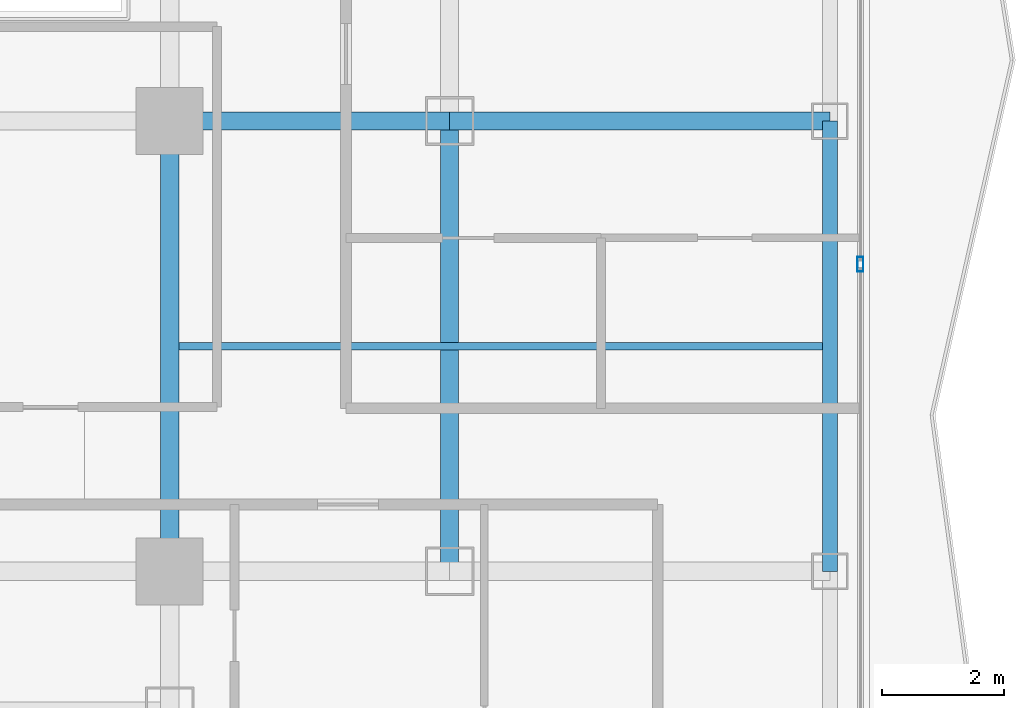
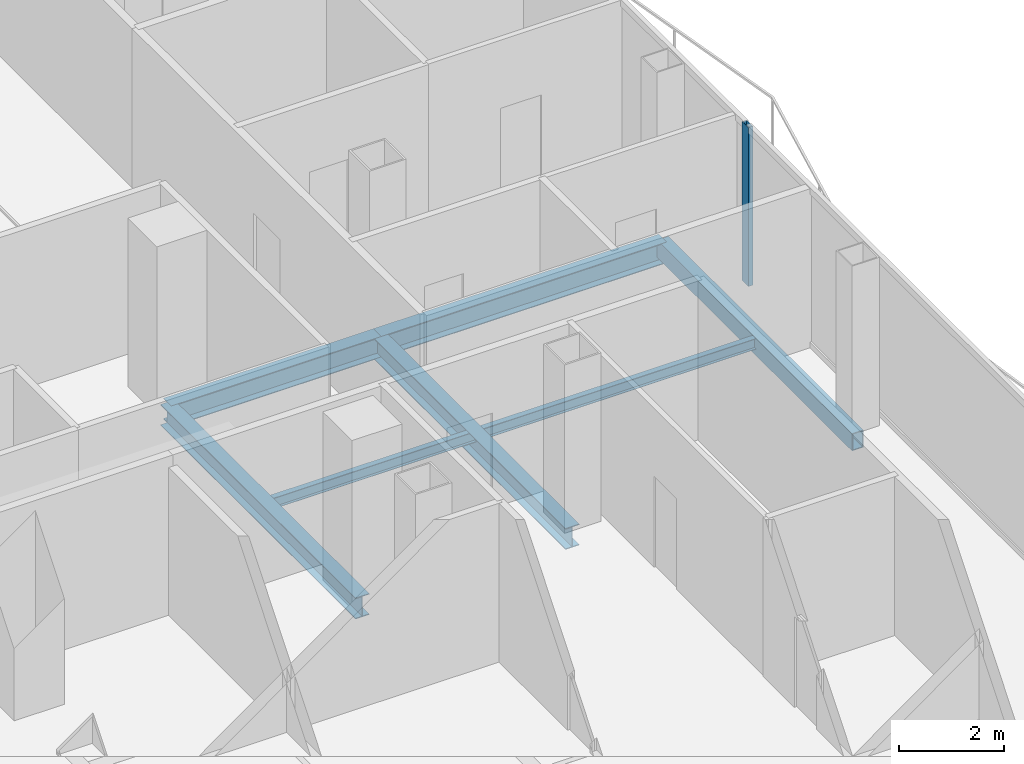
# One storey, part 11 of 27: 6 beams, 1 member, 1 element without a shape of its own.
"""IFC4 building model written with IfcOpenShell, lengths in metres."""

from ifc_helpers import new_model, si_unit, direction, frame, origin, origin_2d, place, context, subcontext, project, spatial, hollow_rectangle, i_section, extrude, material, layer, layer_set, material_profile, profile_set, type_object, element, aggregate, save


model = new_model("IFC4")

# Units and contexts
model_context = context("Model", 3, precision=1e-05, world=origin(), true_north=direction((0.0, 1.0)))
body_context = subcontext(model_context, "Body", "Model", "MODEL_VIEW")
ifc_project = project(units=[si_unit("LENGTHUNIT", "METRE"), si_unit("AREAUNIT", "SQUARE_METRE"), si_unit("VOLUMEUNIT", "CUBIC_METRE"), si_unit("PLANEANGLEUNIT", "RADIAN"), si_unit("MASSUNIT", "GRAM", prefix="KILO")], contexts=[model_context])

# Site, building, storey
site_placement = place(None, origin())
site = spatial("IfcSite", under=ifc_project, at=site_placement, CompositionType="ELEMENT")
building_placement = place(site_placement, origin())
building = spatial("IfcBuilding", under=site, at=building_placement, Name="Khorvyn Point Tower", CompositionType="ELEMENT")
storey_placement = place(building_placement, frame((0.0, 0.0, 227.39990234375)))
storey = spatial("IfcBuildingStorey", under=building, at=storey_placement, Name="L56", CompositionType="ELEMENT", Elevation=227.39990234375)

# Curtain wall, member
ifc_material_1 = material(Name="Anodised aluminium 6063-T6 and laminated Low-E glass", Category="aluminium")
ifc_layer = layer(ifc_material_1, 0.18994140625)
ifc_layer_set = layer_set([ifc_layer], Name="Stick-Built Acoustic Curtain Wall CW-SYS-03")
curtain_wall_type = type_object("IfcCurtainWallType", Name="Stick-Built Acoustic Curtain Wall CW-SYS-03", PredefinedType="NOTDEFINED", material=ifc_layer_set)
curtain_wall_placement = place(storey_placement, origin())
curtain_wall = element("IfcCurtainWall", 1, at=curtain_wall_placement, inside=storey, type_object=curtain_wall_type, Name="Curtain Wall", PredefinedType="NOTDEFINED")
ifc_material_2 = material(Name="Anodised aluminium 6063-T6", Category="aluminium")
ifc_material_profile_1 = material_profile(ifc_material_2, hollow_rectangle(XDim=0.10009765625, YDim=0.239990234375, WallThickness=0.0048828125, at=origin_2d()))
ifc_profile_set_1 = profile_set([ifc_material_profile_1], Name="Anodised aluminium 6063-T6 ALU-MUL-100x240")
member_type = type_object("IfcMemberType", Name="Anodised Aluminium 6063-T6 Mullion ALU-MUL-100x240", PredefinedType="MULLION", material=ifc_profile_set_1)
member_placement = place(storey_placement, frame((26.14990234375, -9.75390625, 0.0), z_axis=(0.0, 0.0, 1.0), x_axis=(1.0, 0.0, 0.0)))
member = element("IfcMember", 2, at=member_placement, type_object=member_type, Name="Transom", PredefinedType="MULLION", context=body_context, shape_type="SweptSolid", body=[
    extrude(hollow_rectangle(XDim=0.10009765625, YDim=0.239990234375, WallThickness=0.0048828125, at=origin_2d()), origin(), (0.0, 0.0, 1.0), 3.68017578125),
])
aggregate(curtain_wall, [member])

# Beams
ifc_material_3 = material(Name="Steel S355", Category="steel")
ifc_material_profile_2 = material_profile(ifc_material_3, i_section(OverallWidth=0.125, OverallDepth=0.25, WebThickness=0.006103515625, FlangeThickness=0.009033203125, at=origin_2d()))
ifc_profile_set_2 = profile_set([ifc_material_profile_2], Name="Steel S355 H250x125x6x9")
beam_type_1 = type_object("IfcBeamType", Name="Steel S355 Joist H250x125x6x9", PredefinedType="JOIST", material=ifc_profile_set_2)
beam_1_placement = place(storey_placement, frame((14.949951171875, -11.10009765625, -0.344970703125), z_axis=(1.0, 0.0, 0.0), x_axis=(0.0, 1.0, 0.0)))
element("IfcBeam", 3, at=beam_1_placement, inside=storey, type_object=beam_type_1, Name="Beam", PredefinedType="JOIST", context=body_context, shape_type="SweptSolid", body=[
    extrude(i_section(OverallWidth=0.125, OverallDepth=0.25, WebThickness=0.006103515625, FlangeThickness=0.009033203125, at=origin_2d()), origin(), (0.0, 0.0, 1.0), 10.574951171875),
])
ifc_material_profile_3 = material_profile(ifc_material_3, i_section(OverallWidth=0.300048828125, OverallDepth=0.488037109375, WebThickness=0.010986328125, FlangeThickness=0.01806640625, at=origin_2d()))
ifc_profile_set_3 = profile_set([ifc_material_profile_3], Name="Steel S355 H488x300x11x18")
beam_type_2 = type_object("IfcBeamType", Name="Steel S355 Spandrel H488x300x11x18", PredefinedType="SPANDREL", material=ifc_profile_set_3)
beam_2_placement = place(storey_placement, frame((14.800048828125, -7.39990234375, -0.4638671875), z_axis=(1.0, 0.0, 0.0), x_axis=(0.0, 1.0, 0.0)))
element("IfcBeam", 4, at=beam_2_placement, inside=storey, type_object=beam_type_2, Name="Beam", PredefinedType="SPANDREL", context=body_context, shape_type="SweptSolid", body=[
    extrude(i_section(OverallWidth=0.300048828125, OverallDepth=0.488037109375, WebThickness=0.010986328125, FlangeThickness=0.01806640625, at=origin_2d()), origin(), (0.0, 0.0, 1.0), 4.599853515625),
])
beam_3_placement = place(storey_placement, frame((19.39990234375, -7.39990234375, -0.4638671875), z_axis=(1.0, 0.0, 0.0), x_axis=(0.0, 1.0, 0.0)))
element("IfcBeam", 5, at=beam_3_placement, inside=storey, type_object=beam_type_2, Name="Beam", PredefinedType="SPANDREL", context=body_context, shape_type="SweptSolid", body=[
    extrude(i_section(OverallWidth=0.300048828125, OverallDepth=0.488037109375, WebThickness=0.010986328125, FlangeThickness=0.01806640625, at=origin_2d()), origin(), (0.0, 0.0, 1.0), 6.25),
])
for number, where, z_axis, x_axis, name in (
    (6, (14.800048828125, -14.800048828125, -0.4638671875), (0.0, 1.0, 0.0), (-1.0, 0.0, 0.0), "Beam"),
    (7, (19.39990234375, -14.800048828125, -0.4638671875), (0.0, 1.0, 0.0), (-1.0, 0.0, 0.0), "Beam"),
):
    element("IfcBeam", number, at=place(storey_placement, frame(where, z_axis=z_axis, x_axis=x_axis)), inside=storey, type_object=beam_type_2, Name=name, PredefinedType="SPANDREL", context=body_context, shape_type="SweptSolid", body=[
        extrude(i_section(OverallWidth=0.300048828125, OverallDepth=0.488037109375, WebThickness=0.010986328125, FlangeThickness=0.01806640625, at=origin_2d()), origin(), (0.0, 0.0, 1.0), 7.400146484375),
    ])
ifc_material_profile_4 = material_profile(ifc_material_3, hollow_rectangle(XDim=0.25, YDim=0.39990234375, WallThickness=0.01611328125, at=origin_2d()))
ifc_profile_set_4 = profile_set([ifc_material_profile_4], Name="Steel S355 RHS400x250x16")
beam_type_3 = type_object("IfcBeamType", Name="Steel S355 Spandrel RHS400x250x16", PredefinedType="SPANDREL", material=ifc_profile_set_4)
beam_4_placement = place(storey_placement, frame((25.64990234375, -14.800048828125, -0.419921875), z_axis=(0.0, 1.0, 0.0), x_axis=(-1.0, 0.0, 0.0)))
element("IfcBeam", 8, at=beam_4_placement, inside=storey, type_object=beam_type_3, Name="Beam", PredefinedType="SPANDREL", context=body_context, shape_type="SweptSolid", body=[
    extrude(hollow_rectangle(XDim=0.25, YDim=0.39990234375, WallThickness=0.01611328125, at=origin_2d()), origin(), (0.0, 0.0, 1.0), 7.400146484375),
])

save(model, "model.ifc")
